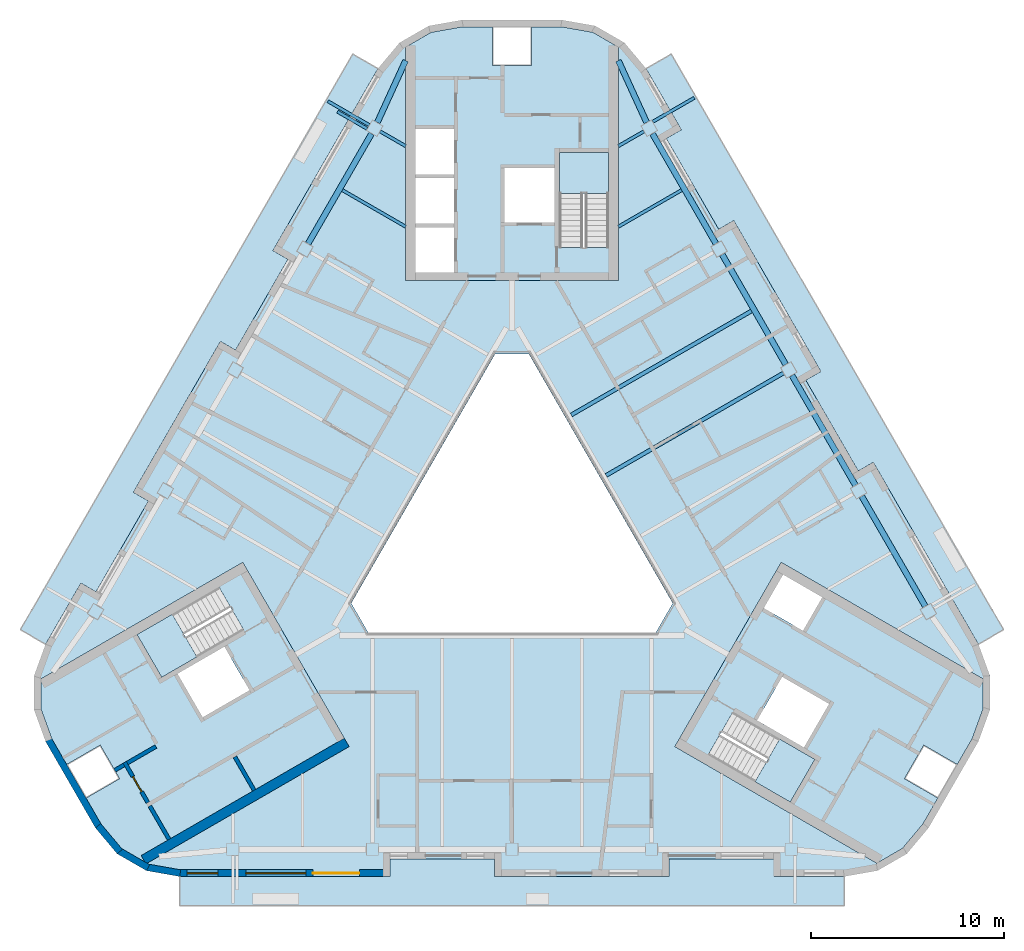
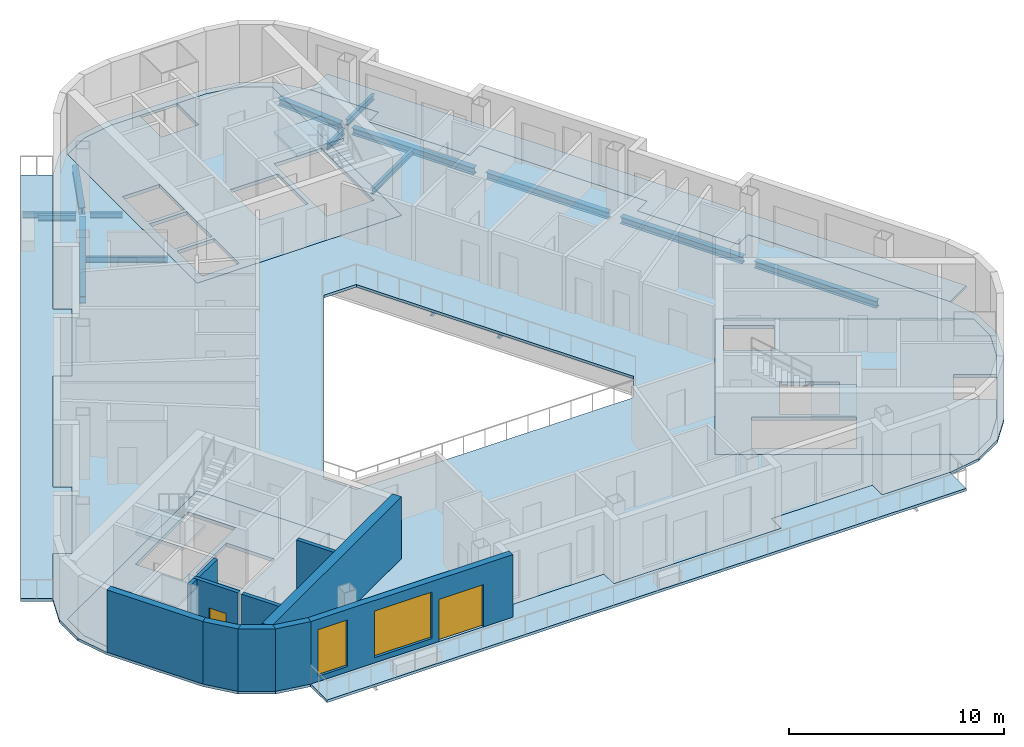
# One storey, part 2 of 13: 16 beams, 11 walls, 10 slabs, 2 doors, 2 windows, 4 openings, 3 elements without a shape of their own.
"""IFC4 building model written with IfcOpenShell, lengths in metres."""

from ifc_helpers import new_model, si_unit, direction, frame, frame_2d, origin, origin_2d, place, context, subcontext, project, spatial, polyline, rectangle, i_section, outline, extrude, material, layer, layer_set, material_profile, profile_set, type_object, element, fill, aggregate, save


model = new_model("IFC4")

# Units and contexts
model_context = context("Model", 3, precision=1e-05, world=origin(), true_north=direction((0.0, 1.0)))
body_context = subcontext(model_context, "Body", "Model", "MODEL_VIEW")
ifc_project = project(units=[si_unit("LENGTHUNIT", "METRE"), si_unit("AREAUNIT", "SQUARE_METRE"), si_unit("VOLUMEUNIT", "CUBIC_METRE"), si_unit("PLANEANGLEUNIT", "RADIAN"), si_unit("MASSUNIT", "GRAM", prefix="KILO")], contexts=[model_context])

# Site, building, storey
site_placement = place(None, origin())
site = spatial("IfcSite", under=ifc_project, at=site_placement, CompositionType="ELEMENT")
building_placement = place(site_placement, origin())
building = spatial("IfcBuilding", under=site, at=building_placement, Name="Apuvela Tower Hotel", CompositionType="ELEMENT")
storey_placement = place(building_placement, frame((0.0, 0.0, 283.699951171875)))
storey = spatial("IfcBuildingStorey", under=building, at=storey_placement, Name="L70", CompositionType="ELEMENT", Elevation=283.699951171875)

# Beams
ifc_material_1 = material(Name="Steel S355", Category="steel")
ifc_material_profile_1 = material_profile(ifc_material_1, i_section(OverallWidth=0.159912109375, OverallDepth=0.330078125, WebThickness=0.007568359375, FlangeThickness=0.011474609375, at=origin_2d()), Name="IPE 330")
ifc_profile_set_1 = profile_set([ifc_material_profile_1], Name="Steel S355")
beam_type_1 = type_object("IfcBeamType", Name="ENV-BALCONY-BEAM-IPE330", PredefinedType="BEAM", material=ifc_profile_set_1)
for number, where, z_axis, x_axis, name in (
    (1, (7.280517578125, 21.097412109375, -0.31494140625), (0.866006523861, 0.500032699561, 0.0), (-0.500032699561, 0.866006523861, 0.0), "Balcony cantilever beam NE3 L70"),
    (2, (-7.38037109375, 20.92431640625, -0.31494140625), (-0.86604923931, 0.499958713387, 0.0), (-0.499958713387, -0.86604923931, 0.0), "Balcony cantilever beam NW1 L70"),
):
    element("IfcBeam", number, at=place(storey_placement, frame(where, z_axis=z_axis, x_axis=x_axis)), inside=storey, type_object=beam_type_1, Name=name, PredefinedType="BEAM", context=body_context, shape_type="SweptSolid", body=[
        extrude(i_section(OverallWidth=0.159912109375, OverallDepth=0.330078125, WebThickness=0.007568359375, FlangeThickness=0.011474609375, at=origin_2d()), origin(), (0.0, 0.0, 1.0), 2.474853515625),
    ])
beam_1_placement = place(storey_placement, frame((-7.490478515625, 20.733642578125, -0.31494140625), z_axis=(-0.866025242659, 0.500000279077, 0.0), x_axis=(-0.500000279077, -0.866025242659, 0.0)))
element("IfcBeam", 3, at=beam_1_placement, inside=storey, type_object=beam_type_1, Name="Balcony cantilever beam NW2 L70", PredefinedType="BEAM", context=body_context, shape_type="SweptSolid", body=[
    extrude(i_section(OverallWidth=0.159912109375, OverallDepth=0.330078125, WebThickness=0.007568359375, FlangeThickness=0.011474609375, at=origin_2d()), origin(), (0.0, 0.0, 1.0), 1.77490234375),
])
ifc_material_profile_2 = material_profile(ifc_material_1, i_section(OverallWidth=0.159912109375, OverallDepth=0.330078125, WebThickness=0.007568359375, FlangeThickness=0.011474609375, at=origin_2d()), Name="IPE 330")
ifc_profile_set_2 = profile_set([ifc_material_profile_2], Name="Steel S355")
beam_type_2 = type_object("IfcBeamType", Name="STR-B floor beam IPE 330", PredefinedType="BEAM", material=ifc_profile_set_2)
beam_2_placement = place(storey_placement, frame((8.77294921875, 17.5625, -0.31494140625), z_axis=(-0.86602422079, -0.500002049001, 0.0), x_axis=(0.500002049001, -0.86602422079, 0.0)))
element("IfcBeam", 4, at=beam_2_placement, inside=storey, type_object=beam_type_2, Name="Floor beam B1 NE8", PredefinedType="BEAM", context=body_context, shape_type="SweptSolid", body=[
    extrude(i_section(OverallWidth=0.159912109375, OverallDepth=0.330078125, WebThickness=0.007568359375, FlangeThickness=0.011474609375, at=origin_2d()), origin(), (0.0, 0.0, 1.0), 3.779296875),
])
for number, where, z_axis, x_axis, name in (
    (5, (6.8173828125, 20.59912109375, -0.31494140625), (-0.865982457891, -0.500074377092, 0.0), (0.500074377092, -0.865982457891, 0.0), "Floor beam B1 NE9"),
    (6, (-6.8173828125, 20.59912109375, -0.31494140625), (0.865982457891, -0.500074377092, 0.0), (0.500074377092, 0.865982457891, 0.0), "Floor beam B1 NW1"),
):
    element("IfcBeam", number, at=place(storey_placement, frame(where, z_axis=z_axis, x_axis=x_axis)), inside=storey, type_object=beam_type_2, Name=name, PredefinedType="BEAM", context=body_context, shape_type="SweptSolid", body=[
        extrude(i_section(OverallWidth=0.159912109375, OverallDepth=0.330078125, WebThickness=0.007568359375, FlangeThickness=0.011474609375, at=origin_2d()), origin(), (0.0, 0.0, 1.0), 1.521240234375),
    ])
beam_3_placement = place(storey_placement, frame((-8.77294921875, 17.5625, -0.31494140625), z_axis=(0.86602422079, -0.500002049001, 0.0), x_axis=(0.500002049001, 0.86602422079, 0.0)))
element("IfcBeam", 7, at=beam_3_placement, inside=storey, type_object=beam_type_2, Name="Floor beam B1 NW2", PredefinedType="BEAM", context=body_context, shape_type="SweptSolid", body=[
    extrude(i_section(OverallWidth=0.159912109375, OverallDepth=0.330078125, WebThickness=0.007568359375, FlangeThickness=0.011474609375, at=origin_2d()), origin(), (0.0, 0.0, 1.0), 3.779296875),
])
ifc_material_profile_3 = material_profile(ifc_material_1, i_section(OverallWidth=0.199951171875, OverallDepth=0.5, WebThickness=0.01025390625, FlangeThickness=0.01611328125, at=origin_2d()), Name="IPE 500")
ifc_profile_set_3 = profile_set([ifc_material_profile_3], Name="Steel S355")
beam_type_3 = type_object("IfcBeamType", Name="STR-B floor beam IPE 500", PredefinedType="BEAM", material=ifc_profile_set_3)
beam_4_placement = place(storey_placement, frame((14.03271484375, 8.101806640625, -0.39990234375), z_axis=(-0.866024243143, -0.500002010285, 0.0), x_axis=(0.500002010285, -0.866024243143, 0.0)))
element("IfcBeam", 8, at=beam_4_placement, inside=storey, type_object=beam_type_3, Name="Floor beam B3 NE5", PredefinedType="BEAM", context=body_context, shape_type="SweptSolid", body=[
    extrude(i_section(OverallWidth=0.199951171875, OverallDepth=0.5, WebThickness=0.01025390625, FlangeThickness=0.01611328125, at=origin_2d()), origin(), (0.0, 0.0, 1.0), 10.58349609375),
])
beam_5_placement = place(storey_placement, frame((12.380615234375, 11.313720703125, -0.39990234375), z_axis=(-0.866025361271, -0.500000073636, 0.0), x_axis=(0.500000073636, -0.866025361271, 0.0)))
element("IfcBeam", 9, at=beam_5_placement, inside=storey, type_object=beam_type_3, Name="Floor beam B3 NE6", PredefinedType="BEAM", context=body_context, shape_type="SweptSolid", body=[
    extrude(i_section(OverallWidth=0.199951171875, OverallDepth=0.5, WebThickness=0.01025390625, FlangeThickness=0.01611328125, at=origin_2d()), origin(), (0.0, 0.0, 1.0), 10.7587890625),
])
ifc_material_profile_4 = material_profile(ifc_material_1, i_section(OverallWidth=0.300048828125, OverallDepth=0.389892578125, WebThickness=0.010986328125, FlangeThickness=0.01904296875, at=origin_2d()), Name="HE 400 A")
ifc_profile_set_4 = profile_set([ifc_material_profile_4], Name="Steel S355")
beam_type_4 = type_object("IfcBeamType", Name="STR-SB spandrel beam HE 400 A", PredefinedType="SPANDREL", material=ifc_profile_set_4)
beam_6_placement = place(storey_placement, frame((21.3671875, -3.951416015625, -0.344970703125), z_axis=(-0.500018600842, 0.866014664317, 0.0), x_axis=(-0.866014664317, -0.500018600842, 0.0)))
element("IfcBeam", 10, at=beam_6_placement, inside=storey, type_object=beam_type_4, Name="Spandrel beam SB4 NE1", PredefinedType="SPANDREL", context=body_context, shape_type="SweptSolid", body=[
    extrude(i_section(OverallWidth=0.300048828125, OverallDepth=0.389892578125, WebThickness=0.010986328125, FlangeThickness=0.01904296875, at=origin_2d()), origin(), (0.0, 0.0, 1.0), 6.565185546875),
])
for number, where, z_axis, x_axis, name in (
    (11, (17.759521484375, 2.297119140625, -0.344970703125), (-0.500002498361, 0.86602396135, 0.0), (-0.86602396135, -0.500002498361, 0.0), "Spandrel beam SB4 NE2"),
    (12, (14.15185546875, 8.5458984375, -0.344970703125), (-0.500002498361, 0.86602396135, 0.0), (-0.86602396135, -0.500002498361, 0.0), "Spandrel beam SB4 NE3"),
    (13, (10.544189453125, 14.79443359375, -0.344970703125), (-0.500002498361, 0.86602396135, 0.0), (-0.86602396135, -0.500002498361, 0.0), "Spandrel beam SB4 NE4"),
    (14, (-7.261474609375, 20.480224609375, -0.344970703125), (-0.500002498361, -0.86602396135, 0.0), (0.86602396135, -0.500002498361, 0.0), "Spandrel beam SB4 NW1"),
):
    element("IfcBeam", number, at=place(storey_placement, frame(where, z_axis=z_axis, x_axis=x_axis)), inside=storey, type_object=beam_type_4, Name=name, PredefinedType="SPANDREL", context=body_context, shape_type="SweptSolid", body=[
        extrude(i_section(OverallWidth=0.300048828125, OverallDepth=0.389892578125, WebThickness=0.010986328125, FlangeThickness=0.01904296875, at=origin_2d()), origin(), (0.0, 0.0, 1.0), 6.5654296875),
    ])
for number, where, z_axis, x_axis, name in (
    (15, (6.963134765625, 21.05859375, -0.344970703125), (-0.415804030962, 0.909454236251, 0.0), (-0.909454236251, -0.415804030962, 0.0), "Spandrel beam SB4 NE5-N"),
    (16, (-6.963134765625, 21.05859375, -0.344970703125), (0.415804030962, 0.909454236251, 0.0), (-0.909454236251, 0.415804030962, 0.0), "Spandrel beam SB4 NW1-N"),
):
    element("IfcBeam", number, at=place(storey_placement, frame(where, z_axis=z_axis, x_axis=x_axis)), inside=storey, type_object=beam_type_4, Name=name, PredefinedType="SPANDREL", context=body_context, shape_type="SweptSolid", body=[
        extrude(i_section(OverallWidth=0.300048828125, OverallDepth=0.389892578125, WebThickness=0.010986328125, FlangeThickness=0.01904296875, at=origin_2d()), origin(), (0.0, 0.0, 1.0), 3.518798828125),
    ])

# Slabs
ifc_material_2 = material(Name="Concrete C50/60", Category="concrete")
ifc_layer_1 = layer(ifc_material_2, 0.199951171875)
ifc_layer_set_1 = layer_set([ifc_layer_1], Name="COR-FLOOR-200")
slab_type_1 = type_object("IfcSlabType", Name="COR-FLOOR-200", PredefinedType="FLOOR", material=ifc_layer_set_1)
slab_1_placement = place(storey_placement, frame((0.0, 0.0, -0.199951171875)))
element("IfcSlab", 17, at=slab_1_placement, inside=storey, type_object=slab_type_1, Name="Core floor N", PredefinedType="FLOOR", context=body_context, shape_type="SweptSolid", body=[
    extrude(outline(polyline([(5.5, 24.9599609375), (4.180419921875, 25.721923828125), (2.55322265625, 26.0087890625), (1.0, 26.0087890625), (1.0, 24.0087890625), (-1.0, 24.0087890625), (-1.0, 26.0087890625), (-2.55322265625, 26.0087890625), (-4.180419921875, 25.721923828125), (-5.5, 24.9599609375), (-5.5, 12.89990234375), (5.5, 12.89990234375), (5.5, 24.9599609375)]), holes=[polyline([(-3.0, 13.300048828125), (-5.0, 13.300048828125), (-5.0, 15.639892578125), (-3.0, 15.639892578125), (-3.0, 13.300048828125)]), polyline([(-3.0, 15.840087890625), (-5.0, 15.840087890625), (-5.0, 18.179931640625), (-3.0, 18.179931640625), (-3.0, 15.840087890625)]), polyline([(5.0, 14.60595703125), (2.449951171875, 14.60595703125), (2.449951171875, 19.5), (5.0, 19.5), (5.0, 14.60595703125)]), polyline([(2.199951171875, 18.699951171875), (2.199951171875, 15.89990234375), (-0.39990234375, 15.89990234375), (-0.39990234375, 18.699951171875), (2.199951171875, 18.699951171875)]), polyline([(-3.0, 20.719970703125), (-3.0, 18.3798828125), (-5.0, 18.3798828125), (-5.0, 20.719970703125), (-3.0, 20.719970703125)])]), origin(), (0.0, 0.0, 1.0), 0.199951171875),
])
slab_2_placement = place(storey_placement, frame((0.0, 0.0, -0.199951171875)))
element("IfcSlab", 18, at=slab_2_placement, inside=storey, type_object=slab_type_1, Name="Core floor SW", PredefinedType="FLOOR", context=body_context, shape_type="SweptSolid", body=[
    extrude(outline(polyline([(-24.365966796875, -7.716796875), (-24.365966796875, -9.240478515625), (-23.80078125, -10.793212890625), (-23.0244140625, -12.138427734375), (-21.292236328125, -11.138427734375), (-20.292236328125, -12.870361328125), (-22.0244140625, -13.870361328125), (-21.247802734375, -15.215576171875), (-20.185546875, -16.481201171875), (-18.865966796875, -17.2431640625), (-8.421630859375, -11.213134765625), (-13.921630859375, -1.68701171875), (-24.365966796875, -7.716796875)]), holes=[polyline([(-13.874267578125, -5.18115234375), (-18.112548828125, -7.628173828125), (-19.387451171875, -5.419921875), (-15.149169921875, -2.972900390625), (-13.874267578125, -5.18115234375)]), polyline([(-13.56982421875, -8.29638671875), (-15.99462890625, -9.6962890625), (-17.294677734375, -7.444580078125), (-14.869873046875, -6.044677734375), (-13.56982421875, -8.29638671875)])]), origin(), (0.0, 0.0, 1.0), 0.199951171875),
])
slab_3_placement = place(storey_placement, frame((0.0, 0.0, -0.199951171875)))
element("IfcSlab", 19, at=slab_3_placement, inside=storey, type_object=slab_type_1, Name="Core floor SE", PredefinedType="FLOOR", context=body_context, shape_type="SweptSolid", body=[
    extrude(outline(polyline([(18.865966796875, -17.2431640625), (20.185546875, -16.481201171875), (21.247802734375, -15.215576171875), (22.0244140625, -13.870361328125), (20.292236328125, -12.870361328125), (21.292236328125, -11.138427734375), (23.0244140625, -12.138427734375), (23.80078125, -10.793212890625), (24.365966796875, -9.240478515625), (24.365966796875, -7.716796875), (13.921630859375, -1.68701171875), (8.421630859375, -11.213134765625), (18.865966796875, -17.2431640625)]), holes=[polyline([(14.01806640625, -2.31982421875), (16.044677734375, -3.489990234375), (15.044677734375, -5.221923828125), (13.01806640625, -4.052001953125), (14.01806640625, -2.31982421875)]), polyline([(10.149169921875, -11.633056640625), (11.42431640625, -9.4248046875), (15.66259765625, -11.871826171875), (14.387451171875, -14.080078125), (10.149169921875, -11.633056640625)]), polyline([(12.669921875, -9.855224609375), (13.9697265625, -7.603515625), (16.394775390625, -9.003662109375), (15.0947265625, -11.25537109375), (12.669921875, -9.855224609375)])]), origin(), (0.0, 0.0, 1.0), 0.199951171875),
])

# Stair, slab
stair_type = type_object("IfcStairType", Name="COR-STAIR-22R", PredefinedType="HALF_TURN_STAIR", material=ifc_material_2)
stair_1_placement = place(storey_placement, origin())
stair_1 = element("IfcStair", 20, at=stair_1_placement, inside=storey, type_object=stair_type, Name="L70 Exit stair ST1", PredefinedType="HALF_TURN_STAIR")
ifc_layer_2 = layer(ifc_material_2, 0.199951171875)
ifc_layer_set_2 = layer_set([ifc_layer_2], Name="COR-LANDING-200")
slab_type_2 = type_object("IfcSlabType", Name="COR-LANDING-200", PredefinedType="LANDING", material=ifc_layer_set_2)
slab_4_placement = place(storey_placement, frame((0.0, 0.0, 1.650146484375)))
slab_4 = element("IfcSlab", 21, at=slab_4_placement, type_object=slab_type_2, Name="ST1 landing 1", PredefinedType="LANDING", context=body_context, shape_type="SweptSolid", body=[
    extrude(outline(polyline([(5.0, 17.39404296875), (5.0, 19.5), (2.449951171875, 19.5), (2.449951171875, 17.39404296875), (5.0, 17.39404296875)])), origin(), (0.0, 0.0, 1.0), 0.199951171875),
])
aggregate(stair_1, [slab_4])

stair_2_placement = place(storey_placement, origin())
stair_2 = element("IfcStair", 22, at=stair_2_placement, inside=storey, type_object=stair_type, Name="L70 Exit stair ST2", PredefinedType="HALF_TURN_STAIR")
slab_5_placement = place(storey_placement, frame((0.0, 0.0, 1.650146484375)))
slab_5 = element("IfcSlab", 23, at=slab_5_placement, type_object=slab_type_2, Name="ST2 landing 1", PredefinedType="LANDING", context=body_context, shape_type="SweptSolid", body=[
    extrude(outline(polyline([(-17.563720703125, -4.366943359375), (-19.387451171875, -5.419921875), (-18.112548828125, -7.628173828125), (-16.28857421875, -6.5751953125), (-17.563720703125, -4.366943359375)])), origin(), (0.0, 0.0, 1.0), 0.199951171875),
])
aggregate(stair_2, [slab_5])

stair_3_placement = place(storey_placement, origin())
stair_3 = element("IfcStair", 24, at=stair_3_placement, inside=storey, type_object=stair_type, Name="L70 Exit stair ST3", PredefinedType="HALF_TURN_STAIR")
slab_6_placement = place(storey_placement, frame((0.0, 0.0, 1.650146484375)))
slab_6 = element("IfcSlab", 25, at=slab_6_placement, type_object=slab_type_2, Name="ST3 landing 1", PredefinedType="LANDING", context=body_context, shape_type="SweptSolid", body=[
    extrude(outline(polyline([(12.563720703125, -13.027099609375), (14.387451171875, -14.080078125), (15.66259765625, -11.871826171875), (13.838623046875, -10.81884765625), (12.563720703125, -13.027099609375)])), origin(), (0.0, 0.0, 1.0), 0.199951171875),
])
aggregate(stair_3, [slab_6])

# Slabs
ifc_material_3 = material(Name="Concrete C40/50, fair-faced", Category="concrete")
ifc_layer_3 = layer(ifc_material_3, 0.14990234375)
ifc_layer_set_3 = layer_set([ifc_layer_3], Name="ENV-BALCONY-150")
slab_type_3 = type_object("IfcSlabType", Name="ENV-BALCONY-150", PredefinedType="FLOOR", material=ifc_layer_set_3)
slab_7_placement = place(storey_placement, frame((0.0, 0.0, -0.14990234375)))
element("IfcSlab", 26, at=slab_7_placement, inside=storey, type_object=slab_type_3, Name="Balcony slab S L70", PredefinedType="FLOOR", context=body_context, shape_type="SweptSolid", body=[
    extrude(outline(polyline([(17.190185546875, -19.43359375), (-17.190185546875, -19.43359375), (-17.190185546875, -17.923583984375), (-6.3203125, -17.923583984375), (-6.3203125, -17.023681640625), (-0.89501953125, -17.023681640625), (-0.89501953125, -17.923583984375), (8.1103515625, -17.923583984375), (8.1103515625, -17.023681640625), (13.53564453125, -17.023681640625), (13.53564453125, -17.923583984375), (17.190185546875, -17.923583984375), (17.190185546875, -19.43359375)])), origin(), (0.0, 0.0, 1.0), 0.14990234375),
])
slab_8_placement = place(storey_placement, frame((0.0, 0.0, -0.14990234375)))
element("IfcSlab", 27, at=slab_8_placement, inside=storey, type_object=slab_type_3, Name="Balcony slab NE L70", PredefinedType="FLOOR", context=body_context, shape_type="SweptSolid", body=[
    extrude(outline(polyline([(15.969970703125, 8.186767578125), (11.46728515625, 15.985595703125), (10.687744140625, 15.53564453125), (7.97509765625, 20.234130859375), (8.754638671875, 20.68408203125), (6.92724609375, 23.84912109375), (8.235107421875, 24.60400390625), (25.42529296875, -5.170166015625), (24.117431640625, -5.92529296875), (18.6826171875, 3.48828125), (17.9033203125, 3.038330078125), (15.1904296875, 7.73681640625), (15.969970703125, 8.186767578125)])), origin(), (0.0, 0.0, 1.0), 0.14990234375),
])
slab_9_placement = place(storey_placement, frame((0.0, 0.0, -0.14990234375)))
element("IfcSlab", 28, at=slab_9_placement, inside=storey, type_object=slab_type_3, Name="Balcony slab NW L70", PredefinedType="FLOOR", context=body_context, shape_type="SweptSolid", body=[
    extrude(outline(polyline([(-25.42529296875, -5.170166015625), (-8.235107421875, 24.60400390625), (-6.92724609375, 23.84912109375), (-12.3623046875, 14.435302734375), (-11.582763671875, 13.9853515625), (-14.29541015625, 9.287109375), (-15.074951171875, 9.737060546875), (-19.57763671875, 1.93798828125), (-18.798095703125, 1.488037109375), (-21.5107421875, -3.21044921875), (-22.290283203125, -2.760498046875), (-24.117431640625, -5.92529296875), (-25.42529296875, -5.170166015625)])), origin(), (0.0, 0.0, 1.0), 0.14990234375),
])
ifc_material_4 = material(Name="Concrete C35/45", Category="concrete")
ifc_layer_4 = layer(ifc_material_4, 0.14990234375)
ifc_layer_set_4 = layer_set([ifc_layer_4], Name="STR-SLAB 150 floor Concrete C35/45")
slab_type_4 = type_object("IfcSlabType", Name="STR-SLAB 150 floor Concrete C35/45", PredefinedType="FLOOR", material=ifc_layer_set_4)
slab_10_placement = place(storey_placement, frame((0.0, 0.0, -0.14990234375)))
element("IfcSlab", 29, at=slab_10_placement, inside=storey, type_object=slab_type_4, Name="Floor slab S4 L70", PredefinedType="FLOOR", context=body_context, shape_type="SweptSolid", body=[
    extrude(outline(polyline([(-5.812744140625, 25.18359375), (-4.302001953125, 26.055908203125), (-2.583740234375, 26.35888671875), (2.583740234375, 26.35888671875), (4.302001953125, 26.055908203125), (5.812744140625, 25.18359375), (6.93408203125, 23.84716796875), (8.761474609375, 20.682373046875), (7.98193359375, 20.232421875), (10.689697265625, 15.54248046875), (11.468994140625, 15.992431640625), (15.976806640625, 8.184814453125), (15.197265625, 7.73486328125), (17.905029296875, 3.045166015625), (18.684326171875, 3.4951171875), (24.119384765625, -5.91845703125), (24.716064453125, -7.557861328125), (24.716064453125, -9.302490234375), (24.119384765625, -10.941650390625), (21.535400390625, -15.4169921875), (20.4140625, -16.75341796875), (18.9033203125, -17.625732421875), (17.18505859375, -17.9287109375), (13.53076171875, -17.9287109375), (13.53076171875, -17.02880859375), (8.115478515625, -17.02880859375), (8.115478515625, -17.9287109375), (-0.89990234375, -17.9287109375), (-0.89990234375, -17.02880859375), (-6.315185546875, -17.02880859375), (-6.315185546875, -17.9287109375), (-17.18505859375, -17.9287109375), (-18.9033203125, -17.625732421875), (-20.4140625, -16.75341796875), (-21.535400390625, -15.4169921875), (-24.119384765625, -10.941650390625), (-24.716064453125, -9.302490234375), (-24.716064453125, -7.557861328125), (-24.119384765625, -5.91845703125), (-22.2919921875, -2.75341796875), (-21.5126953125, -3.20361328125), (-18.804931640625, 1.486328125), (-19.58447265625, 1.936279296875), (-15.07666015625, 9.743896484375), (-14.29736328125, 9.293701171875), (-11.589599609375, 13.983642578125), (-12.369140625, 14.43359375), (-6.93408203125, 23.84716796875), (-5.812744140625, 25.18359375)]), holes=[polyline([(0.865966796875, 9.10009765625), (-0.865966796875, 9.10009765625), (-8.313720703125, -3.800048828125), (-7.44775390625, -5.300048828125), (7.44775390625, -5.300048828125), (8.313720703125, -3.800048828125), (0.865966796875, 9.10009765625)]), polyline([(-5.5, 12.89990234375), (-5.5, 24.9599609375), (-4.180419921875, 25.721923828125), (-2.55322265625, 26.0087890625), (2.55322265625, 26.0087890625), (4.180419921875, 25.721923828125), (5.5, 24.9599609375), (5.5, 12.89990234375), (-5.5, 12.89990234375)]), polyline([(-8.421630859375, -11.213134765625), (-18.865966796875, -17.2431640625), (-20.185546875, -16.481201171875), (-21.247802734375, -15.215576171875), (-23.80078125, -10.793212890625), (-24.365966796875, -9.240478515625), (-24.365966796875, -7.716796875), (-13.921630859375, -1.68701171875), (-8.421630859375, -11.213134765625)]), polyline([(13.921630859375, -1.68701171875), (24.365966796875, -7.716796875), (24.365966796875, -9.240478515625), (23.80078125, -10.793212890625), (21.247802734375, -15.215576171875), (20.185546875, -16.481201171875), (18.865966796875, -17.2431640625), (8.421630859375, -11.213134765625), (13.921630859375, -1.68701171875)])]), origin(), (0.0, 0.0, 1.0), 0.14990234375),
])

# Wall
ifc_layer_5 = layer(ifc_material_2, 0.5)
ifc_layer_set_5 = layer_set([ifc_layer_5], Name="COR-WALL-CORE-500")
wall_type_1 = type_object("IfcWallType", Name="COR-WALL-CORE-500", PredefinedType="SHEAR", material=ifc_layer_set_5)
wall_1_placement = place(storey_placement, frame((-8.546630859375, -10.99658203125, 0.0), z_axis=(0.0, 0.0, 1.0), x_axis=(-0.866024688907, -0.500001238203, 0.0)))
element("IfcWall", 30, at=wall_1_placement, inside=storey, type_object=wall_type_1, Name="Core wall SW", PredefinedType="SHEAR", context=body_context, shape_type="SweptSolid", body=[
    extrude(rectangle(XDim=12.12890625, YDim=0.5, at=frame_2d((6.064453125, 0.0))), origin(), (0.0, 0.0, 1.0), 3.5),
])

# Wall, opening, door
ifc_layer_6 = layer(ifc_material_2, 0.199951171875)
ifc_layer_set_6 = layer_set([ifc_layer_6], Name="COR-WALL-SHAFT-200")
wall_type_2 = type_object("IfcWallType", Name="COR-WALL-SHAFT-200", PredefinedType="SHEAR", material=ifc_layer_set_6)
wall_2_placement = place(storey_placement, frame((-20.030517578125, -12.0263671875, 0.0), z_axis=(0.0, 0.0, 1.0), x_axis=(0.500033551112, -0.866006032174, 0.0)))
wall_2 = element("IfcWall", 31, at=wall_2_placement, inside=storey, type_object=wall_type_2, Name="Shaft wall SW", PredefinedType="SHEAR", context=body_context, shape_type="SweptSolid", body=[
    extrude(rectangle(XDim=2.400146484375, YDim=0.199951171875, at=frame_2d((1.2001953125, 0.0))), origin(), (0.0, 0.0, 1.0), 3.5),
])
opening_1_placement = place(wall_2_placement, frame((0.85009765625, 0.0, 0.0)))
opening_1 = element("IfcOpeningElement", 32, at=opening_1_placement, cuts=wall_2, Name="Opening W-REP", PredefinedType="OPENING", context=body_context, shape_type="SweptSolid", body=[
    extrude(rectangle(XDim=0.89990234375, YDim=2.10009765625, at=frame_2d((0.449951171875, 1.050048828125))), frame((0.0, 0.10986328125, 0.0), z_axis=(0.0, -1.0, 0.0), x_axis=(1.0, 0.0, 0.0)), (0.0, 0.0, 1.0), 0.219970703125),
])
ifc_material_5 = material(Name="Steel fire door, powder coated", Category="steel")
door_type_1 = type_object("IfcDoorType", Name="COR-DR-900", OperationType="NOTDEFINED", PredefinedType="DOOR", material=ifc_material_5)
door_1_placement = place(opening_1_placement, frame((0.89990234375, 0.0, 0.0), z_axis=(0.0, 0.0, 1.0), x_axis=(-1.0, 0.0, 0.0)))
door_1 = element("IfcDoor", 33, at=door_1_placement, inside=storey, type_object=door_type_1, Name="Store door W-REP", OperationType="SINGLE_SWING_LEFT", OverallHeight=2.10009765625, OverallWidth=0.89990234375, PredefinedType="DOOR", context=body_context, shape_type="SweptSolid", body=[
    extrude(rectangle(XDim=0.89990234375, YDim=2.10009765625, at=frame_2d((0.449951171875, 1.050048828125))), frame((0.0, 0.02490234375, 0.0), z_axis=(0.0, -1.0, 0.0), x_axis=(1.0, 0.0, 0.0)), (0.0, 0.0, 1.0), 0.050048828125),
])
fill(opening_1, door_1)

# Walls
wall_3_placement = place(storey_placement, frame((-18.412841796875, -11.2080078125, 0.0), z_axis=(0.0, 0.0, 1.0), x_axis=(-0.866038183914, -0.499977863513, 0.0)))
element("IfcWall", 34, at=wall_3_placement, inside=storey, type_object=wall_type_2, Name="Shaft wall SW", PredefinedType="SHEAR", context=body_context, shape_type="SweptSolid", body=[
    extrude(rectangle(XDim=1.7099609375, YDim=0.199951171875, at=frame_2d((0.85498046875, 0.0))), origin(), (0.0, 0.0, 1.0), 3.5),
])
for number, where, z_axis, x_axis, name in (
    (35, (-14.330810546875, -11.738037109375, 0.0), (0.0, 0.0, 1.0), (0.499972520799, -0.866041268327, 0.0), "Shaft wall SW"),
    (36, (-18.73046875, -14.278076171875, 0.0), (0.0, 0.0, 1.0), (0.50002537861, -0.866010750942, 0.0), "Shaft wall SW"),
):
    element("IfcWall", number, at=place(storey_placement, frame(where, z_axis=z_axis, x_axis=x_axis)), inside=storey, type_object=wall_type_2, Name=name, PredefinedType="SHEAR", context=body_context, shape_type="SweptSolid", body=[
        extrude(rectangle(XDim=2.0, YDim=0.199951171875, at=frame_2d((1.0, 0.0))), origin(), (0.0, 0.0, 1.0), 3.5),
    ])
wall_4_placement = place(storey_placement, frame((-20.06689453125, -12.1630859375, 0.0), z_axis=(0.0, 0.0, 1.0), x_axis=(-0.866044851585, -0.499966313909, 0.0)))
element("IfcWall", 37, at=wall_4_placement, inside=storey, type_object=wall_type_2, Name="Shaft wall SW", PredefinedType="SHEAR", context=body_context, shape_type="SweptSolid", body=[
    extrude(rectangle(XDim=0.548828125, YDim=0.199951171875, at=frame_2d((0.2744140625, 0.0))), origin(), (0.0, 0.0, 1.0), 3.5),
])
ifc_material_6 = material(Name="Concrete C40/50, dark pigmented precast panel", Category="concrete")
ifc_layer_7 = layer(ifc_material_6, 0.35009765625)
ifc_layer_set_7 = layer_set([ifc_layer_7], Name="ENV-WALL-350")
wall_type_3 = type_object("IfcWallType", Name="ENV-WALL-350", PredefinedType="SOLIDWALL", material=ifc_layer_set_7)
wall_5_placement = place(storey_placement, frame((-23.9677734375, -10.854248046875, 0.0), z_axis=(0.0, 0.0, 1.0), x_axis=(0.500020983425, -0.866013288659, 0.0)))
element("IfcWall", 38, at=wall_5_placement, inside=storey, type_object=wall_type_3, Name="External wall L70-13", PredefinedType="SOLIDWALL", context=body_context, shape_type="SweptSolid", body=[
    extrude(rectangle(XDim=5.167724609375, YDim=0.35009765625, at=frame_2d((2.583984375, 0.0))), origin(), (0.0, 0.0, 1.0), 3.550048828125),
])
for number, where, z_axis, x_axis, name in (
    (39, (-21.4013671875, -15.3046875, 0.0), (0.0, 0.0, 1.0), (0.642768607723, -0.766060387258, 0.0), "External wall L70-14"),
    (40, (-20.32666015625, -16.60205078125, 0.0), (0.0, 0.0, 1.0), (0.86609937154, -0.499871862198, 0.0), "External wall L70-15"),
    (41, (-18.872802734375, -17.453369140625, 0.0), (0.0, 0.0, 1.0), (0.984803276474, -0.173673563465, 0.0), "External wall L70-16"),
):
    element("IfcWall", number, at=place(storey_placement, frame(where, z_axis=z_axis, x_axis=x_axis)), inside=storey, type_object=wall_type_3, Name=name, PredefinedType="SOLIDWALL", context=body_context, shape_type="SweptSolid", body=[
        extrude(rectangle(XDim=1.74462890625, YDim=0.35009765625, at=frame_2d((0.872314453125, 0.0))), origin(), (0.0, 0.0, 1.0), 3.550048828125),
    ])

# Wall, openings, door, windows
wall_6_placement = place(storey_placement, frame((-17.18505859375, -17.753662109375, 0.0), z_axis=(0.0, 0.0, 1.0), x_axis=(1.0, 0.0, 0.0)))
wall_6 = element("IfcWall", 42, at=wall_6_placement, inside=storey, type_object=wall_type_3, Name="External wall L70-17", PredefinedType="SOLIDWALL", context=body_context, shape_type="SweptSolid", body=[
    extrude(rectangle(XDim=10.869873046875, YDim=0.35009765625, at=frame_2d((5.43505859375, 0.0))), origin(), (0.0, 0.0, 1.0), 3.550048828125),
])
opening_2_placement = place(wall_6_placement, frame((0.380859375, 0.0, 0.300048828125)))
opening_2 = element("IfcOpeningElement", 43, at=opening_2_placement, cuts=wall_6, Name="Opening WN16", PredefinedType="OPENING", context=body_context, shape_type="SweptSolid", body=[
    extrude(rectangle(XDim=1.60009765625, YDim=2.64990234375, at=frame_2d((0.800048828125, 1.324951171875))), frame((0.0, 0.18505859375, 0.0), z_axis=(0.0, -1.0, 0.0), x_axis=(1.0, 0.0, 0.0)), (0.0, 0.0, 1.0), 0.3701171875),
])
opening_3_placement = place(wall_6_placement, frame((6.89501953125, 0.0, 0.0)))
opening_3 = element("IfcOpeningElement", 44, at=opening_3_placement, cuts=wall_6, Name="Opening BD24", PredefinedType="OPENING", context=body_context, shape_type="SweptSolid", body=[
    extrude(rectangle(XDim=2.39990234375, YDim=2.39990234375, at=frame_2d((1.199951171875, 1.199951171875))), frame((0.0, 0.18505859375, 0.0), z_axis=(0.0, -1.0, 0.0), x_axis=(1.0, 0.0, 0.0)), (0.0, 0.0, 1.0), 0.3701171875),
])
opening_4_placement = place(wall_6_placement, frame((3.4296875, 0.0, 0.300048828125)))
opening_4 = element("IfcOpeningElement", 45, at=opening_4_placement, cuts=wall_6, Name="Opening WN31", PredefinedType="OPENING", context=body_context, shape_type="SweptSolid", body=[
    extrude(rectangle(XDim=3.10009765625, YDim=2.64990234375, at=frame_2d((1.550048828125, 1.324951171875))), frame((0.0, 0.18505859375, 0.0), z_axis=(0.0, -1.0, 0.0), x_axis=(1.0, 0.0, 0.0)), (0.0, 0.0, 1.0), 0.3701171875),
])
ifc_material_7 = material(Name="Aluminium 6063-T6, dark bronze anodised frame with dark tinted laminated glass", Category="aluminium")
door_type_2 = type_object("IfcDoorType", Name="ENV-DOOR-BALCONY-2400x2400", OperationType="SLIDING_TO_LEFT", PredefinedType="DOOR", material=ifc_material_7)
door_2_placement = place(opening_3_placement, frame((2.39990234375, 0.0, 0.0), z_axis=(0.0, 0.0, 1.0), x_axis=(-1.0, 0.0, 0.0)))
door_2 = element("IfcDoor", 46, at=door_2_placement, inside=storey, type_object=door_type_2, Name="Balcony door BD24", OperationType="SLIDING_TO_LEFT", OverallHeight=2.39990234375, OverallWidth=2.39990234375, PredefinedType="DOOR", context=body_context, shape_type="SweptSolid", body=[
    extrude(rectangle(XDim=2.39990234375, YDim=2.39990234375, at=frame_2d((1.199951171875, 1.199951171875))), frame((0.0, 0.02490234375, 0.0), z_axis=(0.0, -1.0, 0.0), x_axis=(1.0, 0.0, 0.0)), (0.0, 0.0, 1.0), 0.050048828125),
])
fill(opening_3, door_2)
ifc_material_8 = material(Name="Glass, dark tinted laminated insulated glazing unit", Category="glass")
window_type_1 = type_object("IfcWindowType", Name="ENV-WIN-1600x2650", PartitioningType="SINGLE_PANEL", PredefinedType="WINDOW", material=ifc_material_8)
window_1_placement = place(opening_2_placement, origin())
window_1 = element("IfcWindow", 47, at=window_1_placement, inside=storey, type_object=window_type_1, Name="Window WN16", OverallHeight=2.64990234375, OverallWidth=1.60009765625, PartitioningType="SINGLE_PANEL", PredefinedType="WINDOW", context=body_context, shape_type="SweptSolid", body=[
    extrude(rectangle(XDim=1.60009765625, YDim=2.64990234375, at=frame_2d((0.800048828125, 1.324951171875))), frame((0.0, 0.030029296875, 0.0), z_axis=(0.0, -1.0, 0.0), x_axis=(1.0, 0.0, 0.0)), (0.0, 0.0, 1.0), 0.06005859375),
])
fill(opening_2, window_1)
window_type_2 = type_object("IfcWindowType", Name="ENV-WIN-3100x2650", PartitioningType="SINGLE_PANEL", PredefinedType="WINDOW", material=ifc_material_8)
window_2_placement = place(opening_4_placement, origin())
window_2 = element("IfcWindow", 48, at=window_2_placement, inside=storey, type_object=window_type_2, Name="Window WN31", OverallHeight=2.64990234375, OverallWidth=3.10009765625, PartitioningType="SINGLE_PANEL", PredefinedType="WINDOW", context=body_context, shape_type="SweptSolid", body=[
    extrude(rectangle(XDim=3.10009765625, YDim=2.64990234375, at=frame_2d((1.550048828125, 1.324951171875))), frame((0.0, 0.030029296875, 0.0), z_axis=(0.0, -1.0, 0.0), x_axis=(1.0, 0.0, 0.0)), (0.0, 0.0, 1.0), 0.06005859375),
])
fill(opening_4, window_2)

save(model, "model.ifc")
